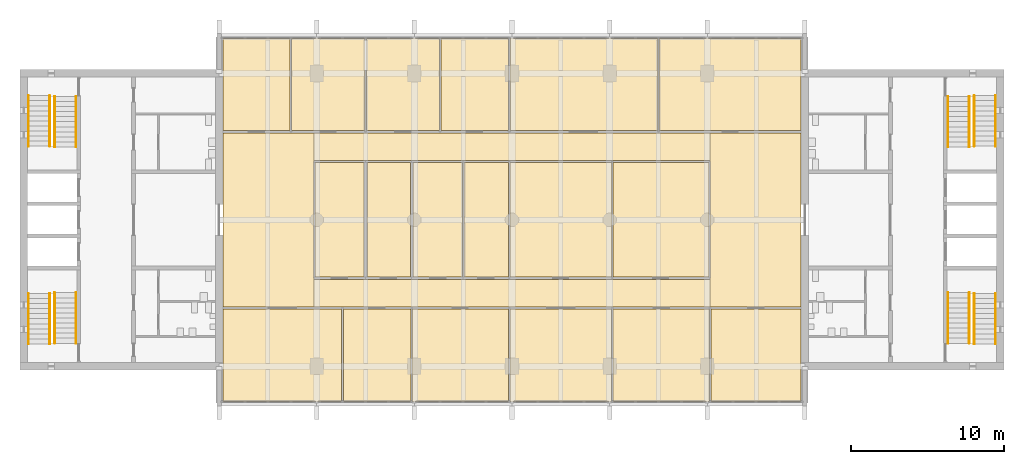
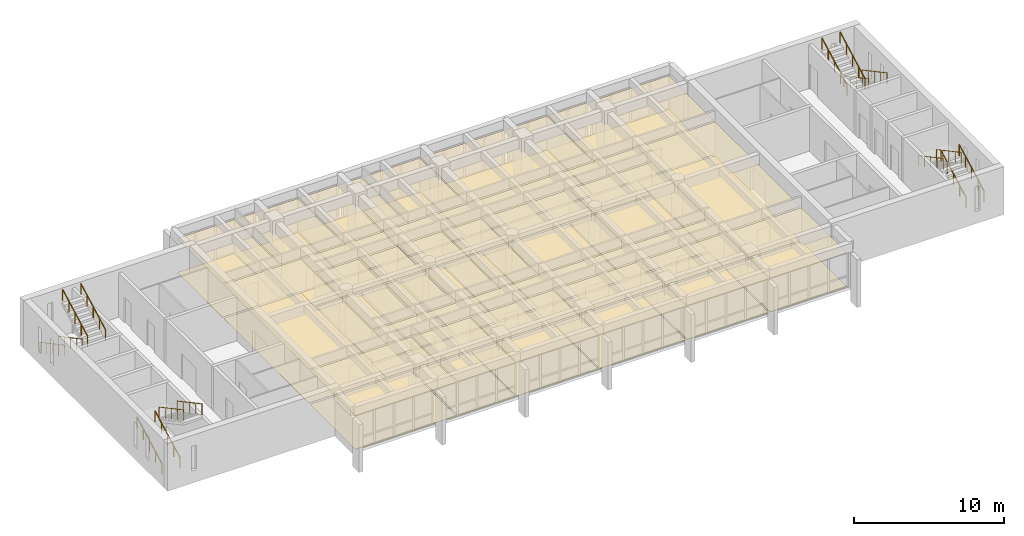
# One storey, part 14 of 15: 44 coverings, 16 railings.
"""IFC4 building model written with IfcOpenShell, lengths in metres."""

from ifc_helpers import new_model, si_unit, direction, frame, origin, origin_2d, place, context, subcontext, project, spatial, polyline, circle, outline, extrude, material, layer, layer_set, type_object, element, save


model = new_model("IFC4")

# Units and contexts
model_context = context("Model", 3, precision=1e-05, world=origin(), true_north=direction((0.0, 1.0)))
body_context = subcontext(model_context, "Body", "Model", "MODEL_VIEW")
ifc_project = project(units=[si_unit("LENGTHUNIT", "METRE"), si_unit("AREAUNIT", "SQUARE_METRE"), si_unit("VOLUMEUNIT", "CUBIC_METRE"), si_unit("PLANEANGLEUNIT", "RADIAN"), si_unit("MASSUNIT", "GRAM", prefix="KILO")], contexts=[model_context])

# Site, building, storey
site_placement = place(None, origin())
site = spatial("IfcSite", under=ifc_project, at=site_placement, CompositionType="ELEMENT")
building_placement = place(site_placement, origin())
building = spatial("IfcBuilding", under=site, at=building_placement, Name="Fogon Plaza Fire Station and Headquarters Tower", CompositionType="ELEMENT")
storey_placement = place(building_placement, frame((0.0, 0.0, 48.300048828125)))
storey = spatial("IfcBuildingStorey", under=building, at=storey_placement, Name="L12", CompositionType="ELEMENT", Elevation=48.300048828125)

# Railings
ifc_material_1 = material(Name="Steel", Category="steel")
railing_type = type_object("IfcRailingType", Name="Stair Handrail 900", PredefinedType="HANDRAIL", material=ifc_material_1)
for number, where, name in (
    (1, (13.10009765625, 35.06005859375, 0.17724609375), "Handrail ST1"),
    (2, (14.5, 35.06005859375, 0.17724609375), "Handrail ST1"),
):
    element("IfcRailing", number, at=place(storey_placement, frame(where)), inside=storey, type_object=railing_type, Name=name, PredefinedType="HANDRAIL", context=body_context, shape_type="SweptSolid", body=[
        extrude(circle(Radius=0.02392578125, at=origin_2d()), frame((0.0, 0.0, 0.8759765625), z_axis=(0.0, 0.881829236777, 0.471568867892), x_axis=(-1.0, 0.0, 0.0)), (0.0, 0.0, 1.0), 3.75927734375),
        extrude(circle(Radius=0.02099609375, at=origin_2d()), origin(), (0.0, 0.0, 1.0), 0.851806640625),
        extrude(circle(Radius=0.02099609375, at=origin_2d()), frame((0.0, 0.82861328125, 0.443115234375)), (0.0, 0.0, 1.0), 0.851806640625),
        extrude(circle(Radius=0.02099609375, at=origin_2d()), frame((0.0, 1.657470703125, 0.88623046875)), (0.0, 0.0, 1.0), 0.851806640625),
        extrude(circle(Radius=0.02099609375, at=origin_2d()), frame((0.0, 2.486328125, 1.32958984375)), (0.0, 0.0, 1.0), 0.851806640625),
        extrude(circle(Radius=0.02099609375, at=origin_2d()), frame((0.0, 3.31494140625, 1.772705078125)), (0.0, 0.0, 1.0), 0.851806640625),
    ])
for number, where, name in (
    (3, (16.22509765625, 38.425048828125, 2.127197265625), "Handrail ST1"),
    (4, (14.824951171875, 38.425048828125, 2.127197265625), "Handrail ST1"),
):
    element("IfcRailing", number, at=place(storey_placement, frame(where)), inside=storey, type_object=railing_type, Name=name, PredefinedType="HANDRAIL", context=body_context, shape_type="SweptSolid", body=[
        extrude(circle(Radius=0.02392578125, at=origin_2d()), frame((0.0, 0.0, 0.8759765625), z_axis=(0.0, -0.881829236777, 0.471568867892), x_axis=(1.0, 0.0, 0.0)), (0.0, 0.0, 1.0), 3.75927734375),
        extrude(circle(Radius=0.02099609375, at=origin_2d()), origin(), (0.0, 0.0, 1.0), 0.851806640625),
        extrude(circle(Radius=0.02099609375, at=origin_2d()), frame((0.0, -0.82861328125, 0.443115234375)), (0.0, 0.0, 1.0), 0.851806640625),
        extrude(circle(Radius=0.02099609375, at=origin_2d()), frame((0.0, -1.657470703125, 0.88623046875)), (0.0, 0.0, 1.0), 0.851806640625),
        extrude(circle(Radius=0.02099609375, at=origin_2d()), frame((0.0, -2.486328125, 1.32958984375)), (0.0, 0.0, 1.0), 0.851806640625),
        extrude(circle(Radius=0.02099609375, at=origin_2d()), frame((0.0, -3.31494140625, 1.772705078125)), (0.0, 0.0, 1.0), 0.851806640625),
    ])
for number, where, name in (
    (5, (13.10009765625, 51.340087890625, 0.17724609375), "Handrail ST2"),
    (6, (14.5, 51.340087890625, 0.17724609375), "Handrail ST2"),
):
    element("IfcRailing", number, at=place(storey_placement, frame(where)), inside=storey, type_object=railing_type, Name=name, PredefinedType="HANDRAIL", context=body_context, shape_type="SweptSolid", body=[
        extrude(circle(Radius=0.02392578125, at=origin_2d()), frame((0.0, 0.0, 0.8759765625), z_axis=(0.0, -0.881843677922, 0.471541862095), x_axis=(1.0, 0.0, 0.0)), (0.0, 0.0, 1.0), 3.75927734375),
        extrude(circle(Radius=0.02099609375, at=origin_2d()), origin(), (0.0, 0.0, 1.0), 0.851806640625),
        extrude(circle(Radius=0.02099609375, at=origin_2d()), frame((0.0, -0.828857421875, 0.443115234375)), (0.0, 0.0, 1.0), 0.851806640625),
        extrude(circle(Radius=0.02099609375, at=origin_2d()), frame((0.0, -1.65771484375, 0.88623046875)), (0.0, 0.0, 1.0), 0.851806640625),
        extrude(circle(Radius=0.02099609375, at=origin_2d()), frame((0.0, -2.486328125, 1.32958984375)), (0.0, 0.0, 1.0), 0.851806640625),
        extrude(circle(Radius=0.02099609375, at=origin_2d()), frame((0.0, -3.315185546875, 1.772705078125)), (0.0, 0.0, 1.0), 0.851806640625),
    ])
for number, where, name in (
    (7, (16.22509765625, 47.97509765625, 2.127197265625), "Handrail ST2"),
    (8, (14.824951171875, 47.97509765625, 2.127197265625), "Handrail ST2"),
    (9, (76.5, 35.06005859375, 0.17724609375), "Handrail ST3"),
    (10, (75.10009765625, 35.06005859375, 0.17724609375), "Handrail ST3"),
):
    element("IfcRailing", number, at=place(storey_placement, frame(where)), inside=storey, type_object=railing_type, Name=name, PredefinedType="HANDRAIL", context=body_context, shape_type="SweptSolid", body=[
        extrude(circle(Radius=0.02392578125, at=origin_2d()), frame((0.0, 0.0, 0.8759765625), z_axis=(0.0, 0.881829236777, 0.471568867892), x_axis=(-1.0, 0.0, 0.0)), (0.0, 0.0, 1.0), 3.75927734375),
        extrude(circle(Radius=0.02099609375, at=origin_2d()), origin(), (0.0, 0.0, 1.0), 0.851806640625),
        extrude(circle(Radius=0.02099609375, at=origin_2d()), frame((0.0, 0.82861328125, 0.443115234375)), (0.0, 0.0, 1.0), 0.851806640625),
        extrude(circle(Radius=0.02099609375, at=origin_2d()), frame((0.0, 1.657470703125, 0.88623046875)), (0.0, 0.0, 1.0), 0.851806640625),
        extrude(circle(Radius=0.02099609375, at=origin_2d()), frame((0.0, 2.486328125, 1.32958984375)), (0.0, 0.0, 1.0), 0.851806640625),
        extrude(circle(Radius=0.02099609375, at=origin_2d()), frame((0.0, 3.31494140625, 1.772705078125)), (0.0, 0.0, 1.0), 0.851806640625),
    ])
for number, where, name in (
    (11, (73.375, 38.425048828125, 2.127197265625), "Handrail ST3"),
    (12, (74.77490234375, 38.425048828125, 2.127197265625), "Handrail ST3"),
):
    element("IfcRailing", number, at=place(storey_placement, frame(where)), inside=storey, type_object=railing_type, Name=name, PredefinedType="HANDRAIL", context=body_context, shape_type="SweptSolid", body=[
        extrude(circle(Radius=0.02392578125, at=origin_2d()), frame((0.0, 0.0, 0.8759765625), z_axis=(0.0, -0.881829236777, 0.471568867892), x_axis=(1.0, 0.0, 0.0)), (0.0, 0.0, 1.0), 3.75927734375),
        extrude(circle(Radius=0.02099609375, at=origin_2d()), origin(), (0.0, 0.0, 1.0), 0.851806640625),
        extrude(circle(Radius=0.02099609375, at=origin_2d()), frame((0.0, -0.82861328125, 0.443115234375)), (0.0, 0.0, 1.0), 0.851806640625),
        extrude(circle(Radius=0.02099609375, at=origin_2d()), frame((0.0, -1.657470703125, 0.88623046875)), (0.0, 0.0, 1.0), 0.851806640625),
        extrude(circle(Radius=0.02099609375, at=origin_2d()), frame((0.0, -2.486328125, 1.32958984375)), (0.0, 0.0, 1.0), 0.851806640625),
        extrude(circle(Radius=0.02099609375, at=origin_2d()), frame((0.0, -3.31494140625, 1.772705078125)), (0.0, 0.0, 1.0), 0.851806640625),
    ])
for number, where, name in (
    (13, (76.5, 51.340087890625, 0.17724609375), "Handrail ST4"),
    (14, (75.10009765625, 51.340087890625, 0.17724609375), "Handrail ST4"),
):
    element("IfcRailing", number, at=place(storey_placement, frame(where)), inside=storey, type_object=railing_type, Name=name, PredefinedType="HANDRAIL", context=body_context, shape_type="SweptSolid", body=[
        extrude(circle(Radius=0.02392578125, at=origin_2d()), frame((0.0, 0.0, 0.8759765625), z_axis=(0.0, -0.881843677922, 0.471541862095), x_axis=(1.0, 0.0, 0.0)), (0.0, 0.0, 1.0), 3.75927734375),
        extrude(circle(Radius=0.02099609375, at=origin_2d()), origin(), (0.0, 0.0, 1.0), 0.851806640625),
        extrude(circle(Radius=0.02099609375, at=origin_2d()), frame((0.0, -0.828857421875, 0.443115234375)), (0.0, 0.0, 1.0), 0.851806640625),
        extrude(circle(Radius=0.02099609375, at=origin_2d()), frame((0.0, -1.65771484375, 0.88623046875)), (0.0, 0.0, 1.0), 0.851806640625),
        extrude(circle(Radius=0.02099609375, at=origin_2d()), frame((0.0, -2.486328125, 1.32958984375)), (0.0, 0.0, 1.0), 0.851806640625),
        extrude(circle(Radius=0.02099609375, at=origin_2d()), frame((0.0, -3.315185546875, 1.772705078125)), (0.0, 0.0, 1.0), 0.851806640625),
    ])
for number, where, name in (
    (15, (73.375, 47.97509765625, 2.127197265625), "Handrail ST4"),
    (16, (74.77490234375, 47.97509765625, 2.127197265625), "Handrail ST4"),
):
    element("IfcRailing", number, at=place(storey_placement, frame(where)), inside=storey, type_object=railing_type, Name=name, PredefinedType="HANDRAIL", context=body_context, shape_type="SweptSolid", body=[
        extrude(circle(Radius=0.02392578125, at=origin_2d()), frame((0.0, 0.0, 0.8759765625), z_axis=(0.0, 0.881829236777, 0.471568867892), x_axis=(-1.0, 0.0, 0.0)), (0.0, 0.0, 1.0), 3.75927734375),
        extrude(circle(Radius=0.02099609375, at=origin_2d()), origin(), (0.0, 0.0, 1.0), 0.851806640625),
        extrude(circle(Radius=0.02099609375, at=origin_2d()), frame((0.0, 0.82861328125, 0.443115234375)), (0.0, 0.0, 1.0), 0.851806640625),
        extrude(circle(Radius=0.02099609375, at=origin_2d()), frame((0.0, 1.657470703125, 0.88623046875)), (0.0, 0.0, 1.0), 0.851806640625),
        extrude(circle(Radius=0.02099609375, at=origin_2d()), frame((0.0, 2.486328125, 1.32958984375)), (0.0, 0.0, 1.0), 0.851806640625),
        extrude(circle(Radius=0.02099609375, at=origin_2d()), frame((0.0, 3.31494140625, 1.772705078125)), (0.0, 0.0, 1.0), 0.851806640625),
    ])

# Coverings
ifc_material_2 = material(Name="Acoustic ceiling tile")
ifc_layer_1 = layer(ifc_material_2, 0.050048828125)
ifc_layer_set_1 = layer_set([ifc_layer_1], Name="Acoustic ceiling tile")
covering_type_1 = type_object("IfcCoveringType", Name="Tower acoustic ceiling", PredefinedType="CEILING", material=ifc_layer_set_1)
covering_1_placement = place(storey_placement, frame((0.0, 0.0, 2.72998046875)))
element("IfcCovering", 17, at=covering_1_placement, inside=storey, type_object=covering_type_1, Name="cov-cl-L12-03", PredefinedType="CEILING", context=body_context, shape_type="SweptSolid", body=[
    extrude(outline(polyline([(44.58251953125, 31.300048828125), (44.58251953125, 37.35009765625), (38.257568359375, 37.35009765625), (38.257568359375, 31.300048828125), (44.58251953125, 31.300048828125)])), origin(), (0.0, 0.0, 1.0), 0.050048828125),
])
covering_2_placement = place(storey_placement, frame((0.0, 0.0, 2.72998046875)))
element("IfcCovering", 18, at=covering_2_placement, inside=storey, type_object=covering_type_1, Name="cov-cl-L12-08", PredefinedType="CEILING", context=body_context, shape_type="SweptSolid", body=[
    extrude(outline(polyline([(38.132568359375, 39.449951171875), (38.132568359375, 46.949951171875), (35.28759765625, 46.949951171875), (35.28759765625, 39.449951171875), (38.132568359375, 39.449951171875)])), origin(), (0.0, 0.0, 1.0), 0.050048828125),
])
covering_3_placement = place(storey_placement, frame((0.0, 0.0, 2.72998046875)))
element("IfcCovering", 19, at=covering_3_placement, inside=storey, type_object=covering_type_1, Name="cov-cl-L12-09", PredefinedType="CEILING", context=body_context, shape_type="SweptSolid", body=[
    extrude(outline(polyline([(41.5625, 39.449951171875), (41.5625, 46.949951171875), (38.3076171875, 46.949951171875), (38.3076171875, 39.449951171875), (41.5625, 39.449951171875)])), origin(), (0.0, 0.0, 1.0), 0.050048828125),
])
covering_4_placement = place(storey_placement, frame((0.0, 0.0, 2.72998046875)))
element("IfcCovering", 20, at=covering_4_placement, inside=storey, type_object=covering_type_1, Name="cov-cl-L12-11", PredefinedType="CEILING", context=body_context, shape_type="SweptSolid", body=[
    extrude(outline(polyline([(51.342529296875, 39.449951171875), (51.342529296875, 46.949951171875), (44.657470703125, 46.949951171875), (44.657470703125, 39.449951171875), (51.342529296875, 39.449951171875)])), origin(), (0.0, 0.0, 1.0), 0.050048828125),
])
covering_5_placement = place(storey_placement, frame((0.0, 0.0, 2.72998046875)))
element("IfcCovering", 21, at=covering_5_placement, inside=storey, type_object=covering_type_1, Name="cov-cl-L12-18", PredefinedType="CEILING", context=body_context, shape_type="SweptSolid", body=[
    extrude(outline(polyline([(63.75, 49.050048828125), (63.75, 55.10009765625), (54.4375, 55.10009765625), (54.4375, 49.050048828125), (63.75, 49.050048828125)])), origin(), (0.0, 0.0, 1.0), 0.050048828125),
])
ifc_material_3 = material(Name="Carpet tile")
ifc_layer_2 = layer(ifc_material_3, 0.011962890625)
ifc_layer_set_2 = layer_set([ifc_layer_2], Name="Carpet tile")
covering_type_2 = type_object("IfcCoveringType", Name="Tower carpet tile floor", PredefinedType="FLOORING", material=ifc_layer_set_2)
covering_6_placement = place(storey_placement, origin())
element("IfcCovering", 22, at=covering_6_placement, inside=storey, type_object=covering_type_2, Name="cov-fl-L12-01", PredefinedType="FLOORING", context=body_context, shape_type="SweptSolid", body=[
    extrude(outline(polyline([(33.639892578125, 31.300048828125), (33.639892578125, 37.35009765625), (25.85009765625, 37.35009765625), (25.85009765625, 31.300048828125), (33.639892578125, 31.300048828125)])), origin(), (0.0, 0.0, 1.0), 0.011962890625),
])
covering_7_placement = place(storey_placement, origin())
element("IfcCovering", 23, at=covering_7_placement, inside=storey, type_object=covering_type_2, Name="cov-fl-L12-02", PredefinedType="FLOORING", context=body_context, shape_type="SweptSolid", body=[
    extrude(outline(polyline([(38.1826171875, 31.300048828125), (38.1826171875, 37.35009765625), (33.739990234375, 37.35009765625), (33.739990234375, 31.300048828125), (38.1826171875, 31.300048828125)])), origin(), (0.0, 0.0, 1.0), 0.011962890625),
])
covering_8_placement = place(storey_placement, origin())
element("IfcCovering", 24, at=covering_8_placement, inside=storey, type_object=covering_type_2, Name="cov-fl-L12-03", PredefinedType="FLOORING", context=body_context, shape_type="SweptSolid", body=[
    extrude(outline(polyline([(44.58251953125, 31.300048828125), (44.58251953125, 37.35009765625), (38.257568359375, 37.35009765625), (38.257568359375, 31.300048828125), (44.58251953125, 31.300048828125)])), origin(), (0.0, 0.0, 1.0), 0.011962890625),
])
covering_9_placement = place(storey_placement, origin())
element("IfcCovering", 25, at=covering_9_placement, inside=storey, type_object=covering_type_2, Name="cov-fl-L12-04", PredefinedType="FLOORING", context=body_context, shape_type="SweptSolid", body=[
    extrude(outline(polyline([(51.330078125, 31.300048828125), (51.330078125, 37.35009765625), (44.657470703125, 37.35009765625), (44.657470703125, 31.300048828125), (51.330078125, 31.300048828125)])), origin(), (0.0, 0.0, 1.0), 0.011962890625),
])
covering_10_placement = place(storey_placement, origin())
element("IfcCovering", 26, at=covering_10_placement, inside=storey, type_object=covering_type_2, Name="cov-fl-L12-05", PredefinedType="FLOORING", context=body_context, shape_type="SweptSolid", body=[
    extrude(outline(polyline([(57.72998046875, 31.300048828125), (57.72998046875, 37.35009765625), (51.429931640625, 37.35009765625), (51.429931640625, 31.300048828125), (57.72998046875, 31.300048828125)])), origin(), (0.0, 0.0, 1.0), 0.011962890625),
])
covering_11_placement = place(storey_placement, origin())
element("IfcCovering", 27, at=covering_11_placement, inside=storey, type_object=covering_type_2, Name="cov-fl-L12-06", PredefinedType="FLOORING", context=body_context, shape_type="SweptSolid", body=[
    extrude(outline(polyline([(63.75, 31.300048828125), (63.75, 37.35009765625), (57.830078125, 37.35009765625), (57.830078125, 31.300048828125), (63.75, 31.300048828125)])), origin(), (0.0, 0.0, 1.0), 0.011962890625),
])
covering_12_placement = place(storey_placement, origin())
element("IfcCovering", 28, at=covering_12_placement, inside=storey, type_object=covering_type_2, Name="cov-fl-L12-08", PredefinedType="FLOORING", context=body_context, shape_type="SweptSolid", body=[
    extrude(outline(polyline([(38.132568359375, 39.449951171875), (38.132568359375, 46.949951171875), (35.28759765625, 46.949951171875), (35.28759765625, 39.449951171875), (38.132568359375, 39.449951171875)])), origin(), (0.0, 0.0, 1.0), 0.011962890625),
])
covering_13_placement = place(storey_placement, origin())
element("IfcCovering", 29, at=covering_13_placement, inside=storey, type_object=covering_type_2, Name="cov-fl-L12-09", PredefinedType="FLOORING", context=body_context, shape_type="SweptSolid", body=[
    extrude(outline(polyline([(41.5625, 39.449951171875), (41.5625, 46.949951171875), (38.3076171875, 46.949951171875), (38.3076171875, 39.449951171875), (41.5625, 39.449951171875)])), origin(), (0.0, 0.0, 1.0), 0.011962890625),
])
covering_14_placement = place(storey_placement, origin())
element("IfcCovering", 30, at=covering_14_placement, inside=storey, type_object=covering_type_2, Name="cov-fl-L12-11", PredefinedType="FLOORING", context=body_context, shape_type="SweptSolid", body=[
    extrude(outline(polyline([(51.342529296875, 39.449951171875), (51.342529296875, 46.949951171875), (44.657470703125, 46.949951171875), (44.657470703125, 39.449951171875), (51.342529296875, 39.449951171875)])), origin(), (0.0, 0.0, 1.0), 0.011962890625),
])
covering_15_placement = place(storey_placement, origin())
element("IfcCovering", 31, at=covering_15_placement, inside=storey, type_object=covering_type_2, Name="cov-fl-L12-13", PredefinedType="FLOORING", context=body_context, shape_type="SweptSolid", body=[
    extrude(outline(polyline([(30.260009765625, 49.050048828125), (30.260009765625, 55.10009765625), (25.85009765625, 55.10009765625), (25.85009765625, 49.050048828125), (30.260009765625, 49.050048828125)])), origin(), (0.0, 0.0, 1.0), 0.011962890625),
])
covering_16_placement = place(storey_placement, origin())
element("IfcCovering", 32, at=covering_16_placement, inside=storey, type_object=covering_type_2, Name="cov-fl-L12-14", PredefinedType="FLOORING", context=body_context, shape_type="SweptSolid", body=[
    extrude(outline(polyline([(35.14990234375, 49.050048828125), (35.14990234375, 55.10009765625), (30.360107421875, 55.10009765625), (30.360107421875, 49.050048828125), (35.14990234375, 49.050048828125)])), origin(), (0.0, 0.0, 1.0), 0.011962890625),
])
covering_17_placement = place(storey_placement, origin())
element("IfcCovering", 33, at=covering_17_placement, inside=storey, type_object=covering_type_2, Name="cov-fl-L12-15", PredefinedType="FLOORING", context=body_context, shape_type="SweptSolid", body=[
    extrude(outline(polyline([(40.0400390625, 49.050048828125), (40.0400390625, 55.10009765625), (35.25, 55.10009765625), (35.25, 49.050048828125), (40.0400390625, 49.050048828125)])), origin(), (0.0, 0.0, 1.0), 0.011962890625),
])
covering_18_placement = place(storey_placement, origin())
element("IfcCovering", 34, at=covering_18_placement, inside=storey, type_object=covering_type_2, Name="cov-fl-L12-16", PredefinedType="FLOORING", context=body_context, shape_type="SweptSolid", body=[
    extrude(outline(polyline([(44.570068359375, 49.050048828125), (44.570068359375, 55.10009765625), (40.139892578125, 55.10009765625), (40.139892578125, 49.050048828125), (44.570068359375, 49.050048828125)])), origin(), (0.0, 0.0, 1.0), 0.011962890625),
])
covering_19_placement = place(storey_placement, origin())
element("IfcCovering", 35, at=covering_19_placement, inside=storey, type_object=covering_type_2, Name="cov-fl-L12-17", PredefinedType="FLOORING", context=body_context, shape_type="SweptSolid", body=[
    extrude(outline(polyline([(54.362548828125, 49.050048828125), (54.362548828125, 55.10009765625), (44.669921875, 55.10009765625), (44.669921875, 49.050048828125), (54.362548828125, 49.050048828125)])), origin(), (0.0, 0.0, 1.0), 0.011962890625),
])
covering_20_placement = place(storey_placement, origin())
element("IfcCovering", 36, at=covering_20_placement, inside=storey, type_object=covering_type_2, Name="cov-fl-L12-18", PredefinedType="FLOORING", context=body_context, shape_type="SweptSolid", body=[
    extrude(outline(polyline([(63.75, 49.050048828125), (63.75, 55.10009765625), (54.4375, 55.10009765625), (54.4375, 49.050048828125), (63.75, 49.050048828125)])), origin(), (0.0, 0.0, 1.0), 0.011962890625),
])
ifc_material_4 = material(Name="Heavy duty carpet tile")
ifc_layer_3 = layer(ifc_material_4, 0.013916015625)
ifc_layer_set_3 = layer_set([ifc_layer_3], Name="Heavy duty carpet tile")
covering_type_3 = type_object("IfcCoveringType", Name="Tower corridor carpet floor", PredefinedType="FLOORING", material=ifc_layer_set_3)
covering_21_placement = place(storey_placement, origin())
element("IfcCovering", 37, at=covering_21_placement, inside=storey, type_object=covering_type_3, Name="cov-fl-L12-19", PredefinedType="FLOORING", context=body_context, shape_type="SweptSolid", body=[
    extrude(outline(polyline([(57.780029296875, 37.5), (57.780029296875, 39.300048828125), (31.820068359375, 39.300048828125), (31.820068359375, 37.5), (57.780029296875, 37.5)])), origin(), (0.0, 0.0, 1.0), 0.013916015625),
])
covering_22_placement = place(storey_placement, origin())
element("IfcCovering", 38, at=covering_22_placement, inside=storey, type_object=covering_type_3, Name="cov-fl-L12-20", PredefinedType="FLOORING", context=body_context, shape_type="SweptSolid", body=[
    extrude(outline(polyline([(57.780029296875, 47.10009765625), (57.780029296875, 48.89990234375), (31.820068359375, 48.89990234375), (31.820068359375, 47.10009765625), (57.780029296875, 47.10009765625)])), origin(), (0.0, 0.0, 1.0), 0.013916015625),
])
covering_23_placement = place(storey_placement, origin())
element("IfcCovering", 39, at=covering_23_placement, inside=storey, type_object=covering_type_3, Name="cov-fl-L12-21", PredefinedType="FLOORING", context=body_context, shape_type="SweptSolid", body=[
    extrude(outline(polyline([(31.820068359375, 37.5), (31.820068359375, 48.89990234375), (25.85009765625, 48.89990234375), (25.85009765625, 37.5), (31.820068359375, 37.5)])), origin(), (0.0, 0.0, 1.0), 0.013916015625),
])
covering_24_placement = place(storey_placement, origin())
element("IfcCovering", 40, at=covering_24_placement, inside=storey, type_object=covering_type_3, Name="cov-fl-L12-22", PredefinedType="FLOORING", context=body_context, shape_type="SweptSolid", body=[
    extrude(outline(polyline([(63.75, 37.5), (63.75, 48.89990234375), (57.780029296875, 48.89990234375), (57.780029296875, 37.5), (63.75, 37.5)])), origin(), (0.0, 0.0, 1.0), 0.013916015625),
])
ifc_material_5 = material(Name="Plasterboard ceiling")
ifc_layer_4 = layer(ifc_material_5, 0.030029296875)
ifc_layer_set_4 = layer_set([ifc_layer_4], Name="Plasterboard ceiling")
covering_type_4 = type_object("IfcCoveringType", Name="Tower plasterboard ceiling", PredefinedType="CEILING", material=ifc_layer_set_4)
covering_25_placement = place(storey_placement, frame((0.0, 0.0, 2.75)))
element("IfcCovering", 41, at=covering_25_placement, inside=storey, type_object=covering_type_4, Name="cov-cl-L12-19", PredefinedType="CEILING", context=body_context, shape_type="SweptSolid", body=[
    extrude(outline(polyline([(57.780029296875, 37.5), (57.780029296875, 39.300048828125), (31.820068359375, 39.300048828125), (31.820068359375, 37.5), (57.780029296875, 37.5)])), origin(), (0.0, 0.0, 1.0), 0.030029296875),
])
covering_26_placement = place(storey_placement, frame((0.0, 0.0, 2.75)))
element("IfcCovering", 42, at=covering_26_placement, inside=storey, type_object=covering_type_4, Name="cov-cl-L12-20", PredefinedType="CEILING", context=body_context, shape_type="SweptSolid", body=[
    extrude(outline(polyline([(57.780029296875, 47.10009765625), (57.780029296875, 48.89990234375), (31.820068359375, 48.89990234375), (31.820068359375, 47.10009765625), (57.780029296875, 47.10009765625)])), origin(), (0.0, 0.0, 1.0), 0.030029296875),
])
covering_27_placement = place(storey_placement, frame((0.0, 0.0, 2.75)))
element("IfcCovering", 43, at=covering_27_placement, inside=storey, type_object=covering_type_4, Name="cov-cl-L12-21", PredefinedType="CEILING", context=body_context, shape_type="SweptSolid", body=[
    extrude(outline(polyline([(31.820068359375, 37.5), (31.820068359375, 48.89990234375), (25.85009765625, 48.89990234375), (25.85009765625, 37.5), (31.820068359375, 37.5)])), origin(), (0.0, 0.0, 1.0), 0.030029296875),
])
covering_28_placement = place(storey_placement, frame((0.0, 0.0, 2.75)))
element("IfcCovering", 44, at=covering_28_placement, inside=storey, type_object=covering_type_4, Name="cov-cl-L12-22", PredefinedType="CEILING", context=body_context, shape_type="SweptSolid", body=[
    extrude(outline(polyline([(63.75, 37.5), (63.75, 48.89990234375), (57.780029296875, 48.89990234375), (57.780029296875, 37.5), (63.75, 37.5)])), origin(), (0.0, 0.0, 1.0), 0.030029296875),
])
ifc_material_6 = material(Name="Sealed cement screed")
ifc_layer_5 = layer(ifc_material_6, 0.030029296875)
ifc_layer_set_5 = layer_set([ifc_layer_5], Name="Sealed cement screed")
covering_type_5 = type_object("IfcCoveringType", Name="Tower sealed screed floor", PredefinedType="FLOORING", material=ifc_layer_set_5)
covering_29_placement = place(storey_placement, origin())
element("IfcCovering", 45, at=covering_29_placement, inside=storey, type_object=covering_type_5, Name="cov-fl-L12-07", PredefinedType="FLOORING", context=body_context, shape_type="SweptSolid", body=[
    extrude(outline(polyline([(35.112548828125, 39.449951171875), (35.112548828125, 46.949951171875), (31.89501953125, 46.949951171875), (31.89501953125, 39.449951171875), (35.112548828125, 39.449951171875)])), origin(), (0.0, 0.0, 1.0), 0.030029296875),
])
covering_30_placement = place(storey_placement, origin())
element("IfcCovering", 46, at=covering_30_placement, inside=storey, type_object=covering_type_5, Name="cov-fl-L12-10", PredefinedType="FLOORING", context=body_context, shape_type="SweptSolid", body=[
    extrude(outline(polyline([(44.58251953125, 39.449951171875), (44.58251953125, 46.949951171875), (41.637451171875, 46.949951171875), (41.637451171875, 39.449951171875), (44.58251953125, 39.449951171875)])), origin(), (0.0, 0.0, 1.0), 0.030029296875),
])
covering_31_placement = place(storey_placement, origin())
element("IfcCovering", 47, at=covering_31_placement, inside=storey, type_object=covering_type_5, Name="cov-fl-L12-12", PredefinedType="FLOORING", context=body_context, shape_type="SweptSolid", body=[
    extrude(outline(polyline([(57.705078125, 39.449951171875), (57.705078125, 46.949951171875), (51.41748046875, 46.949951171875), (51.41748046875, 39.449951171875), (57.705078125, 39.449951171875)])), origin(), (0.0, 0.0, 1.0), 0.030029296875),
])
ifc_material_7 = material(Name="Mineral fibre ceiling tile")
ifc_layer_6 = layer(ifc_material_7, 0.0400390625)
ifc_layer_set_6 = layer_set([ifc_layer_6], Name="Mineral fibre ceiling tile")
covering_type_6 = type_object("IfcCoveringType", Name="Tower suspended tile ceiling", PredefinedType="CEILING", material=ifc_layer_set_6)
covering_32_placement = place(storey_placement, frame((0.0, 0.0, 2.739990234375)))
element("IfcCovering", 48, at=covering_32_placement, inside=storey, type_object=covering_type_6, Name="cov-cl-L12-01", PredefinedType="CEILING", context=body_context, shape_type="SweptSolid", body=[
    extrude(outline(polyline([(33.639892578125, 31.300048828125), (33.639892578125, 37.35009765625), (25.85009765625, 37.35009765625), (25.85009765625, 31.300048828125), (33.639892578125, 31.300048828125)])), origin(), (0.0, 0.0, 1.0), 0.0400390625),
])
covering_33_placement = place(storey_placement, frame((0.0, 0.0, 2.739990234375)))
element("IfcCovering", 49, at=covering_33_placement, inside=storey, type_object=covering_type_6, Name="cov-cl-L12-02", PredefinedType="CEILING", context=body_context, shape_type="SweptSolid", body=[
    extrude(outline(polyline([(38.1826171875, 31.300048828125), (38.1826171875, 37.35009765625), (33.739990234375, 37.35009765625), (33.739990234375, 31.300048828125), (38.1826171875, 31.300048828125)])), origin(), (0.0, 0.0, 1.0), 0.0400390625),
])
covering_34_placement = place(storey_placement, frame((0.0, 0.0, 2.739990234375)))
element("IfcCovering", 50, at=covering_34_placement, inside=storey, type_object=covering_type_6, Name="cov-cl-L12-04", PredefinedType="CEILING", context=body_context, shape_type="SweptSolid", body=[
    extrude(outline(polyline([(51.330078125, 31.300048828125), (51.330078125, 37.35009765625), (44.657470703125, 37.35009765625), (44.657470703125, 31.300048828125), (51.330078125, 31.300048828125)])), origin(), (0.0, 0.0, 1.0), 0.0400390625),
])
covering_35_placement = place(storey_placement, frame((0.0, 0.0, 2.739990234375)))
element("IfcCovering", 51, at=covering_35_placement, inside=storey, type_object=covering_type_6, Name="cov-cl-L12-05", PredefinedType="CEILING", context=body_context, shape_type="SweptSolid", body=[
    extrude(outline(polyline([(57.72998046875, 31.300048828125), (57.72998046875, 37.35009765625), (51.429931640625, 37.35009765625), (51.429931640625, 31.300048828125), (57.72998046875, 31.300048828125)])), origin(), (0.0, 0.0, 1.0), 0.0400390625),
])
covering_36_placement = place(storey_placement, frame((0.0, 0.0, 2.739990234375)))
element("IfcCovering", 52, at=covering_36_placement, inside=storey, type_object=covering_type_6, Name="cov-cl-L12-06", PredefinedType="CEILING", context=body_context, shape_type="SweptSolid", body=[
    extrude(outline(polyline([(63.75, 31.300048828125), (63.75, 37.35009765625), (57.830078125, 37.35009765625), (57.830078125, 31.300048828125), (63.75, 31.300048828125)])), origin(), (0.0, 0.0, 1.0), 0.0400390625),
])
covering_37_placement = place(storey_placement, frame((0.0, 0.0, 2.739990234375)))
element("IfcCovering", 53, at=covering_37_placement, inside=storey, type_object=covering_type_6, Name="cov-cl-L12-07", PredefinedType="CEILING", context=body_context, shape_type="SweptSolid", body=[
    extrude(outline(polyline([(35.112548828125, 39.449951171875), (35.112548828125, 46.949951171875), (31.89501953125, 46.949951171875), (31.89501953125, 39.449951171875), (35.112548828125, 39.449951171875)])), origin(), (0.0, 0.0, 1.0), 0.0400390625),
])
covering_38_placement = place(storey_placement, frame((0.0, 0.0, 2.739990234375)))
element("IfcCovering", 54, at=covering_38_placement, inside=storey, type_object=covering_type_6, Name="cov-cl-L12-10", PredefinedType="CEILING", context=body_context, shape_type="SweptSolid", body=[
    extrude(outline(polyline([(44.58251953125, 39.449951171875), (44.58251953125, 46.949951171875), (41.637451171875, 46.949951171875), (41.637451171875, 39.449951171875), (44.58251953125, 39.449951171875)])), origin(), (0.0, 0.0, 1.0), 0.0400390625),
])
covering_39_placement = place(storey_placement, frame((0.0, 0.0, 2.739990234375)))
element("IfcCovering", 55, at=covering_39_placement, inside=storey, type_object=covering_type_6, Name="cov-cl-L12-12", PredefinedType="CEILING", context=body_context, shape_type="SweptSolid", body=[
    extrude(outline(polyline([(57.705078125, 39.449951171875), (57.705078125, 46.949951171875), (51.41748046875, 46.949951171875), (51.41748046875, 39.449951171875), (57.705078125, 39.449951171875)])), origin(), (0.0, 0.0, 1.0), 0.0400390625),
])
covering_40_placement = place(storey_placement, frame((0.0, 0.0, 2.739990234375)))
element("IfcCovering", 56, at=covering_40_placement, inside=storey, type_object=covering_type_6, Name="cov-cl-L12-13", PredefinedType="CEILING", context=body_context, shape_type="SweptSolid", body=[
    extrude(outline(polyline([(30.260009765625, 49.050048828125), (30.260009765625, 55.10009765625), (25.85009765625, 55.10009765625), (25.85009765625, 49.050048828125), (30.260009765625, 49.050048828125)])), origin(), (0.0, 0.0, 1.0), 0.0400390625),
])
covering_41_placement = place(storey_placement, frame((0.0, 0.0, 2.739990234375)))
element("IfcCovering", 57, at=covering_41_placement, inside=storey, type_object=covering_type_6, Name="cov-cl-L12-14", PredefinedType="CEILING", context=body_context, shape_type="SweptSolid", body=[
    extrude(outline(polyline([(35.14990234375, 49.050048828125), (35.14990234375, 55.10009765625), (30.360107421875, 55.10009765625), (30.360107421875, 49.050048828125), (35.14990234375, 49.050048828125)])), origin(), (0.0, 0.0, 1.0), 0.0400390625),
])
covering_42_placement = place(storey_placement, frame((0.0, 0.0, 2.739990234375)))
element("IfcCovering", 58, at=covering_42_placement, inside=storey, type_object=covering_type_6, Name="cov-cl-L12-15", PredefinedType="CEILING", context=body_context, shape_type="SweptSolid", body=[
    extrude(outline(polyline([(40.0400390625, 49.050048828125), (40.0400390625, 55.10009765625), (35.25, 55.10009765625), (35.25, 49.050048828125), (40.0400390625, 49.050048828125)])), origin(), (0.0, 0.0, 1.0), 0.0400390625),
])
covering_43_placement = place(storey_placement, frame((0.0, 0.0, 2.739990234375)))
element("IfcCovering", 59, at=covering_43_placement, inside=storey, type_object=covering_type_6, Name="cov-cl-L12-16", PredefinedType="CEILING", context=body_context, shape_type="SweptSolid", body=[
    extrude(outline(polyline([(44.570068359375, 49.050048828125), (44.570068359375, 55.10009765625), (40.139892578125, 55.10009765625), (40.139892578125, 49.050048828125), (44.570068359375, 49.050048828125)])), origin(), (0.0, 0.0, 1.0), 0.0400390625),
])
covering_44_placement = place(storey_placement, frame((0.0, 0.0, 2.739990234375)))
element("IfcCovering", 60, at=covering_44_placement, inside=storey, type_object=covering_type_6, Name="cov-cl-L12-17", PredefinedType="CEILING", context=body_context, shape_type="SweptSolid", body=[
    extrude(outline(polyline([(54.362548828125, 49.050048828125), (54.362548828125, 55.10009765625), (44.669921875, 55.10009765625), (44.669921875, 49.050048828125), (54.362548828125, 49.050048828125)])), origin(), (0.0, 0.0, 1.0), 0.0400390625),
])

save(model, "model.ifc")
